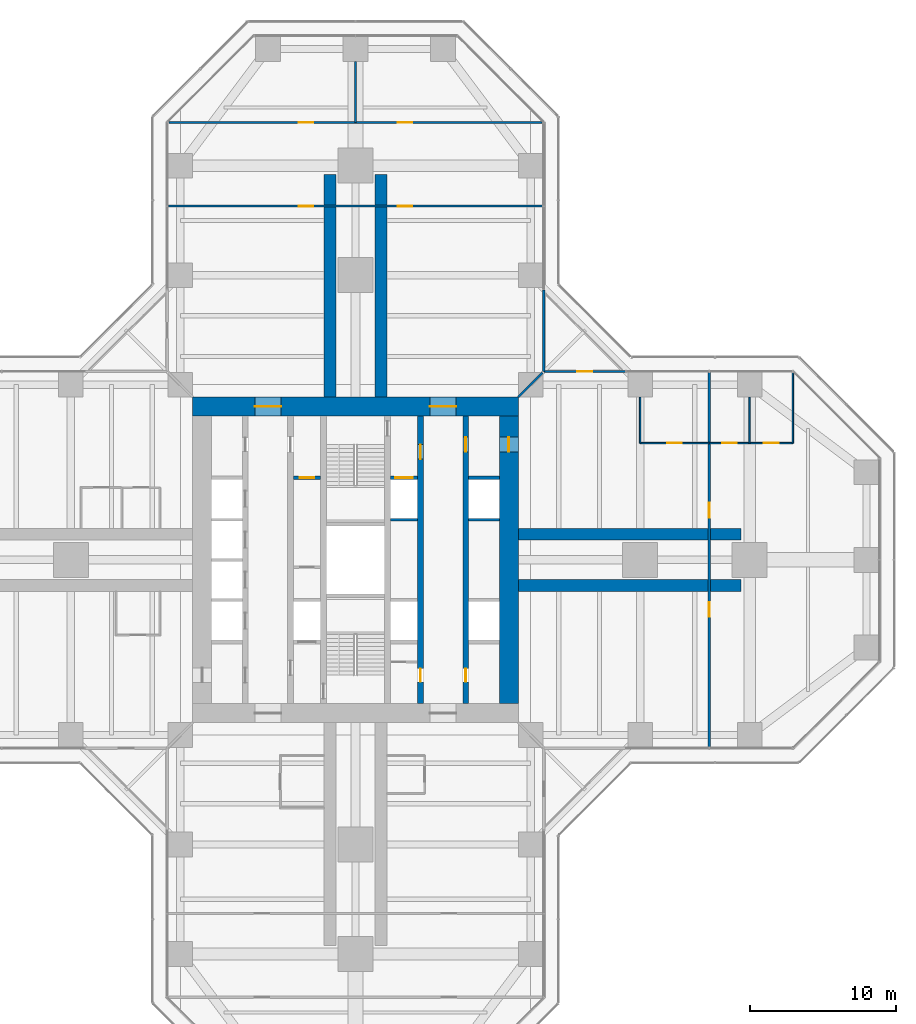
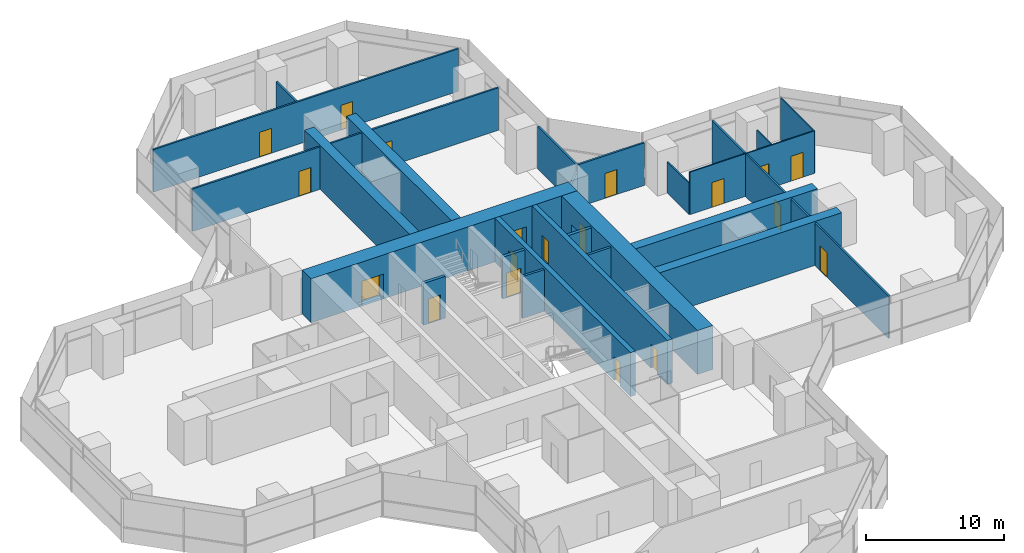
# One storey, part 19 of 22: 25 walls, 19 doors, 19 openings.
"""IFC4 building model written with IfcOpenShell, lengths in metres."""

from ifc_helpers import new_model, si_unit, direction, frame, frame_2d, origin, place, context, subcontext, project, spatial, rectangle, extrude, material, layer, layer_set, type_object, element, fill, save


model = new_model("IFC4")

# Units and contexts
model_context = context("Model", 3, precision=1e-05, world=origin(), true_north=direction((0.0, 1.0)))
body_context = subcontext(model_context, "Body", "Model", "MODEL_VIEW")
ifc_project = project(units=[si_unit("LENGTHUNIT", "METRE"), si_unit("AREAUNIT", "SQUARE_METRE"), si_unit("VOLUMEUNIT", "CUBIC_METRE"), si_unit("PLANEANGLEUNIT", "RADIAN"), si_unit("MASSUNIT", "GRAM", prefix="KILO")], contexts=[model_context])

# Site, building, storey
site_placement = place(None, origin())
site = spatial("IfcSite", under=ifc_project, at=site_placement, CompositionType="ELEMENT")
building_placement = place(site_placement, origin())
building = spatial("IfcBuilding", under=site, at=building_placement, Name="Mizan Broadcast Tower", CompositionType="ELEMENT")
storey_placement = place(building_placement, frame((0.0, 0.0, 98.10009765625)))
storey = spatial("IfcBuildingStorey", under=building, at=storey_placement, Name="L21", CompositionType="ELEMENT", Elevation=98.10009765625)

# Wall, openings, doors
ifc_material_1 = material(Name="Concrete C70/85", Category="concrete")
ifc_layer_1 = layer(ifc_material_1, 0.39990234375)
ifc_layer_set_1 = layer_set([ifc_layer_1], Name="Concrete C70/85")
wall_type_1 = type_object("IfcWallType", Name="CORE INTERNAL WALL 400", PredefinedType="SHEAR", material=ifc_layer_set_1)
wall_1_placement = place(storey_placement, frame((7.550048828125, 9.85009765625, 0.0), z_axis=(0.0, 0.0, 1.0), x_axis=(0.0, -1.0, 0.0)))
wall_1 = element("IfcWall", 1, at=wall_1_placement, inside=storey, type_object=wall_type_1, Name="Core wall CORE/XW1E", PredefinedType="SHEAR", context=body_context, shape_type="SweptSolid", body=[
    extrude(rectangle(XDim=19.7001953125, YDim=0.39990234375, at=frame_2d((9.85009765625, 0.0))), origin(), (0.0, 0.0, 1.0), 3.89990234375),
])
opening_1_placement = place(wall_1_placement, frame((1.449951171875, 0.0, 0.0)))
opening_1 = element("IfcOpeningElement", 2, at=opening_1_placement, cuts=wall_1, Name="Opening D10F", PredefinedType="OPENING", context=body_context, shape_type="SweptSolid", body=[
    extrude(rectangle(XDim=1.0, YDim=2.199951171875, at=frame_2d((0.5, 1.10009765625))), frame((0.0, 0.2099609375, 0.0), z_axis=(0.0, -1.0, 0.0), x_axis=(1.0, 0.0, 0.0)), (0.0, 0.0, 1.0), 0.419921875),
])
opening_2_placement = place(wall_1_placement, frame((17.300048828125, 0.0, 0.0)))
opening_2 = element("IfcOpeningElement", 3, at=opening_2_placement, cuts=wall_1, Name="Opening D09", PredefinedType="OPENING", context=body_context, shape_type="SweptSolid", body=[
    extrude(rectangle(XDim=0.89990234375, YDim=2.10009765625, at=frame_2d((0.449951171875, 1.050048828125))), frame((0.0, 0.2099609375, 0.0), z_axis=(0.0, -1.0, 0.0), x_axis=(1.0, 0.0, 0.0)), (0.0, 0.0, 1.0), 0.419921875),
])
ifc_material_2 = material(Name="Steel door leaf in steel frame", Category="steel")
door_type_1 = type_object("IfcDoorType", Name="FIRE DOOR 1000 FD90", OperationType="SINGLE_SWING_LEFT", PredefinedType="DOOR", material=ifc_material_2)
door_1_placement = place(opening_1_placement, origin())
door_1 = element("IfcDoor", 4, at=door_1_placement, inside=storey, type_object=door_type_1, Name="East core passage door", OperationType="SINGLE_SWING_LEFT", OverallHeight=2.199951171875, OverallWidth=1.0, PredefinedType="DOOR", context=body_context, shape_type="SweptSolid", body=[
    extrude(rectangle(XDim=1.0, YDim=2.199951171875, at=frame_2d((0.5, 1.10009765625))), frame((0.0, 0.02490234375, 0.0), z_axis=(0.0, -1.0, 0.0), x_axis=(1.0, 0.0, 0.0)), (0.0, 0.0, 1.0), 0.050048828125),
])
fill(opening_1, door_1)
ifc_material_3 = material(Name="Timber door leaf in aluminium frame", Category="wood")
door_type_2 = type_object("IfcDoorType", Name="TOILET DOOR 900", OperationType="SINGLE_SWING_LEFT", PredefinedType="DOOR", material=ifc_material_3)
door_2_placement = place(opening_2_placement, origin())
door_2 = element("IfcDoor", 5, at=door_2_placement, inside=storey, type_object=door_type_2, Name="Female WC door", OperationType="SINGLE_SWING_RIGHT", OverallHeight=2.10009765625, OverallWidth=0.89990234375, PredefinedType="DOOR", context=body_context, shape_type="SweptSolid", body=[
    extrude(rectangle(XDim=0.89990234375, YDim=2.10009765625, at=frame_2d((0.449951171875, 1.050048828125))), frame((0.0, 0.02490234375, 0.0), z_axis=(0.0, -1.0, 0.0), x_axis=(1.0, 0.0, 0.0)), (0.0, 0.0, 1.0), 0.050048828125),
])
fill(opening_2, door_2)

wall_2_placement = place(storey_placement, frame((4.449951171875, 9.85009765625, 0.0), z_axis=(0.0, 0.0, 1.0), x_axis=(0.0, -1.0, 0.0)))
wall_2 = element("IfcWall", 6, at=wall_2_placement, inside=storey, type_object=wall_type_1, Name="Core wall CORE/XWHE", PredefinedType="SHEAR", context=body_context, shape_type="SweptSolid", body=[
    extrude(rectangle(XDim=19.7001953125, YDim=0.39990234375, at=frame_2d((9.85009765625, 0.0))), origin(), (0.0, 0.0, 1.0), 3.89990234375),
])
opening_3_placement = place(wall_2_placement, frame((1.949951171875, 0.0, 0.0)))
opening_3 = element("IfcOpeningElement", 7, at=opening_3_placement, cuts=wall_2, Name="Opening D10F", PredefinedType="OPENING", context=body_context, shape_type="SweptSolid", body=[
    extrude(rectangle(XDim=1.0, YDim=2.199951171875, at=frame_2d((0.5, 1.10009765625))), frame((0.0, 0.2099609375, 0.0), z_axis=(0.0, -1.0, 0.0), x_axis=(1.0, 0.0, 0.0)), (0.0, 0.0, 1.0), 0.419921875),
])
opening_4_placement = place(wall_2_placement, frame((17.300048828125, 0.0, 0.0)))
opening_4 = element("IfcOpeningElement", 8, at=opening_4_placement, cuts=wall_2, Name="Opening D09", PredefinedType="OPENING", context=body_context, shape_type="SweptSolid", body=[
    extrude(rectangle(XDim=0.89990234375, YDim=2.10009765625, at=frame_2d((0.449951171875, 1.050048828125))), frame((0.0, 0.2099609375, 0.0), z_axis=(0.0, -1.0, 0.0), x_axis=(1.0, 0.0, 0.0)), (0.0, 0.0, 1.0), 0.419921875),
])
door_3_placement = place(opening_3_placement, origin())
door_3 = element("IfcDoor", 9, at=door_3_placement, inside=storey, type_object=door_type_1, Name="Firefighting lobby B door", OperationType="SINGLE_SWING_LEFT", OverallHeight=2.199951171875, OverallWidth=1.0, PredefinedType="DOOR", context=body_context, shape_type="SweptSolid", body=[
    extrude(rectangle(XDim=1.0, YDim=2.199951171875, at=frame_2d((0.5, 1.10009765625))), frame((0.0, 0.02490234375, 0.0), z_axis=(0.0, -1.0, 0.0), x_axis=(1.0, 0.0, 0.0)), (0.0, 0.0, 1.0), 0.050048828125),
])
fill(opening_3, door_3)
door_4_placement = place(opening_4_placement, origin())
door_4 = element("IfcDoor", 10, at=door_4_placement, inside=storey, type_object=door_type_2, Name="Cleaner's store door", OperationType="SINGLE_SWING_RIGHT", OverallHeight=2.10009765625, OverallWidth=0.89990234375, PredefinedType="DOOR", context=body_context, shape_type="SweptSolid", body=[
    extrude(rectangle(XDim=0.89990234375, YDim=2.10009765625, at=frame_2d((0.449951171875, 1.050048828125))), frame((0.0, 0.02490234375, 0.0), z_axis=(0.0, -1.0, 0.0), x_axis=(1.0, 0.0, 0.0)), (0.0, 0.0, 1.0), 0.050048828125),
])
fill(opening_4, door_4)

ifc_material_4 = material(Name="Concrete C70/85", Category="concrete")
ifc_layer_2 = layer(ifc_material_4, 1.300048828125)
ifc_layer_set_2 = layer_set([ifc_layer_2], Name="Concrete C70/85")
wall_type_2 = type_object("IfcWallType", Name="CORE WALL 1300", PredefinedType="SHEAR", material=ifc_layer_set_2)
wall_3_placement = place(storey_placement, frame((-11.14990234375, 10.5, 0.0), z_axis=(0.0, 0.0, 1.0), x_axis=(1.0, 0.0, 0.0)))
wall_3 = element("IfcWall", 11, at=wall_3_placement, inside=storey, type_object=wall_type_2, Name="Core wall N L21", PredefinedType="SHEAR", context=body_context, shape_type="SweptSolid", body=[
    extrude(rectangle(XDim=22.2998046875, YDim=1.300048828125, at=frame_2d((11.14990234375, 0.0))), origin(), (0.0, 0.0, 1.0), 3.89990234375),
])
opening_5_placement = place(wall_3_placement, frame((4.25, 0.0, 0.0)))
opening_5 = element("IfcOpeningElement", 12, at=opening_5_placement, cuts=wall_3, Name="Opening D18F", PredefinedType="OPENING", context=body_context, shape_type="SweptSolid", body=[
    extrude(rectangle(XDim=1.800048828125, YDim=2.199951171875, at=frame_2d((0.89990234375, 1.10009765625))), frame((0.0, 0.659912109375, 0.0), z_axis=(0.0, -1.0, 0.0), x_axis=(1.0, 0.0, 0.0)), (0.0, 0.0, 1.0), 1.320068359375),
])
opening_6_placement = place(wall_3_placement, frame((16.25, 0.0, 0.0)))
opening_6 = element("IfcOpeningElement", 13, at=opening_6_placement, cuts=wall_3, Name="Opening D18F", PredefinedType="OPENING", context=body_context, shape_type="SweptSolid", body=[
    extrude(rectangle(XDim=1.800048828125, YDim=2.199951171875, at=frame_2d((0.89990234375, 1.10009765625))), frame((0.0, 0.659912109375, 0.0), z_axis=(0.0, -1.0, 0.0), x_axis=(1.0, 0.0, 0.0)), (0.0, 0.0, 1.0), 1.320068359375),
])
ifc_material_5 = material(Name="Steel door leaf in steel frame", Category="steel")
door_type_3 = type_object("IfcDoorType", Name="LOBBY DOUBLE DOOR 1800 FD90", OperationType="DOUBLE_DOOR_DOUBLE_SWING", PredefinedType="DOOR", material=ifc_material_5)
door_5_placement = place(opening_5_placement, origin())
door_5 = element("IfcDoor", 14, at=door_5_placement, inside=storey, type_object=door_type_3, Name="West lift lobby north door", OperationType="DOUBLE_DOOR_DOUBLE_SWING", OverallHeight=2.199951171875, OverallWidth=1.800048828125, PredefinedType="DOOR", context=body_context, shape_type="SweptSolid", body=[
    extrude(rectangle(XDim=1.800048828125, YDim=2.199951171875, at=frame_2d((0.89990234375, 1.10009765625))), frame((0.0, 0.02490234375, 0.0), z_axis=(0.0, -1.0, 0.0), x_axis=(1.0, 0.0, 0.0)), (0.0, 0.0, 1.0), 0.050048828125),
])
fill(opening_5, door_5)
door_6_placement = place(opening_6_placement, origin())
door_6 = element("IfcDoor", 15, at=door_6_placement, inside=storey, type_object=door_type_3, Name="East lift lobby north door", OperationType="DOUBLE_DOOR_DOUBLE_SWING", OverallHeight=2.199951171875, OverallWidth=1.800048828125, PredefinedType="DOOR", context=body_context, shape_type="SweptSolid", body=[
    extrude(rectangle(XDim=1.800048828125, YDim=2.199951171875, at=frame_2d((0.89990234375, 1.10009765625))), frame((0.0, 0.02490234375, 0.0), z_axis=(0.0, -1.0, 0.0), x_axis=(1.0, 0.0, 0.0)), (0.0, 0.0, 1.0), 0.050048828125),
])
fill(opening_6, door_6)

# Wall, opening, door
wall_4_placement = place(storey_placement, frame((10.5, -9.85009765625, 0.0), z_axis=(0.0, 0.0, 1.0), x_axis=(0.0, 1.0, 0.0)))
wall_4 = element("IfcWall", 16, at=wall_4_placement, inside=storey, type_object=wall_type_2, Name="Core wall E L21", PredefinedType="SHEAR", context=body_context, shape_type="SweptSolid", body=[
    extrude(rectangle(XDim=19.7001953125, YDim=1.300048828125, at=frame_2d((9.85009765625, 0.0))), origin(), (0.0, 0.0, 1.0), 3.89990234375),
])
opening_7_placement = place(wall_4_placement, frame((17.25, 0.0, 0.0)))
opening_7 = element("IfcOpeningElement", 17, at=opening_7_placement, cuts=wall_4, Name="Opening D10F", PredefinedType="OPENING", context=body_context, shape_type="SweptSolid", body=[
    extrude(rectangle(XDim=1.0, YDim=2.199951171875, at=frame_2d((0.5, 1.10009765625))), frame((0.0, 0.659912109375, 0.0), z_axis=(0.0, -1.0, 0.0), x_axis=(1.0, 0.0, 0.0)), (0.0, 0.0, 1.0), 1.320068359375),
])
door_7_placement = place(opening_7_placement, origin())
door_7 = element("IfcDoor", 18, at=door_7_placement, inside=storey, type_object=door_type_1, Name="East core passage arm door", OperationType="SINGLE_SWING_RIGHT", OverallHeight=2.199951171875, OverallWidth=1.0, PredefinedType="DOOR", context=body_context, shape_type="SweptSolid", body=[
    extrude(rectangle(XDim=1.0, YDim=2.199951171875, at=frame_2d((0.5, 1.10009765625))), frame((0.0, 0.02490234375, 0.0), z_axis=(0.0, -1.0, 0.0), x_axis=(1.0, 0.0, 0.0)), (0.0, 0.0, 1.0), 0.050048828125),
])
fill(opening_7, door_7)

ifc_material_6 = material(Name="Aluminium framed glazed screen", Category="aluminium")
ifc_layer_3 = layer(ifc_material_6, 0.159912109375)
ifc_layer_set_3 = layer_set([ifc_layer_3], Name="Aluminium framed glazed screen")
wall_type_3 = type_object("IfcWallType", Name="GLAZED SCREEN WALL 160", PredefinedType="SOLIDWALL", material=ifc_layer_set_3)
wall_5_placement = place(storey_placement, frame((18.5, 12.89990234375, 0.0), z_axis=(0.0, 0.0, 1.0), x_axis=(-1.0, 0.0, 0.0)))
wall_5 = element("IfcWall", 19, at=wall_5_placement, inside=storey, type_object=wall_type_3, Name="Winter garden screen L21 E", PredefinedType="SOLIDWALL", context=body_context, shape_type="SweptSolid", body=[
    extrude(rectangle(XDim=5.60009765625, YDim=0.159912109375, at=frame_2d((2.800048828125, 0.0))), origin(), (0.0, 0.0, 1.0), 3.77001953125),
])
opening_8_placement = place(wall_5_placement, frame((2.300048828125, 0.0, 0.0)))
opening_8 = element("IfcOpeningElement", 20, at=opening_8_placement, cuts=wall_5, Name="Opening WGD", PredefinedType="OPENING", context=body_context, shape_type="SweptSolid", body=[
    extrude(rectangle(XDim=1.0, YDim=2.199951171875, at=frame_2d((0.5, 1.10009765625))), frame((0.0, 0.08984375, 0.0), z_axis=(0.0, -1.0, 0.0), x_axis=(1.0, 0.0, 0.0)), (0.0, 0.0, 1.0), 0.179931640625),
])
ifc_material_7 = material(Name="Aluminium framed glazed door", Category="aluminium")
door_type_4 = type_object("IfcDoorType", Name="WINTER GARDEN DOOR 1000 GLAZED", OperationType="SINGLE_SWING_LEFT", PredefinedType="DOOR", material=ifc_material_7)
door_8_placement = place(opening_8_placement, origin())
door_8 = element("IfcDoor", 21, at=door_8_placement, inside=storey, type_object=door_type_4, Name="Winter garden door L21 E", OperationType="SINGLE_SWING_RIGHT", OverallHeight=2.199951171875, OverallWidth=1.0, PredefinedType="DOOR", context=body_context, shape_type="SweptSolid", body=[
    extrude(rectangle(XDim=1.0, YDim=2.199951171875, at=frame_2d((0.5, 1.10009765625))), frame((0.0, 0.02490234375, 0.0), z_axis=(0.0, -1.0, 0.0), x_axis=(1.0, 0.0, 0.0)), (0.0, 0.0, 1.0), 0.050048828125),
])
fill(opening_8, door_8)

# Walls
wall_6_placement = place(storey_placement, frame((12.89990234375, 12.89990234375, 0.0), z_axis=(0.0, 0.0, 1.0), x_axis=(0.0, 1.0, 0.0)))
element("IfcWall", 22, at=wall_6_placement, inside=storey, type_object=wall_type_3, Name="Winter garden screen L21 N", PredefinedType="SOLIDWALL", context=body_context, shape_type="SweptSolid", body=[
    extrude(rectangle(XDim=5.60009765625, YDim=0.159912109375, at=frame_2d((2.800048828125, 0.0))), origin(), (0.0, 0.0, 1.0), 3.77001953125),
])
ifc_material_8 = material(Name="Concrete blockwork", Category="masonry")
ifc_layer_4 = layer(ifc_material_8, 0.199951171875)
ifc_layer_set_4 = layer_set([ifc_layer_4], Name="Concrete blockwork")
wall_type_4 = type_object("IfcWallType", Name="LIFT SHAFT WALL 200", PredefinedType="SOLIDWALL", material=ifc_layer_set_4)
wall_7_placement = place(storey_placement, frame((2.39990234375, 2.75, 0.0), z_axis=(0.0, 0.0, 1.0), x_axis=(1.0, 0.0, 0.0)))
element("IfcWall", 23, at=wall_7_placement, inside=storey, type_object=wall_type_4, Name="Lift shaft wall CORE/SE2-3", PredefinedType="SOLIDWALL", context=body_context, shape_type="SweptSolid", body=[
    extrude(rectangle(XDim=1.85009765625, YDim=0.199951171875, at=frame_2d((0.925048828125, 0.0))), origin(), (0.0, 0.0, 1.0), 3.699951171875),
])
wall_8_placement = place(storey_placement, frame((7.75, 2.75, 0.0), z_axis=(0.0, 0.0, 1.0), x_axis=(1.0, 0.0, 0.0)))
element("IfcWall", 24, at=wall_8_placement, inside=storey, type_object=wall_type_4, Name="Lift shaft wall CORE/SE1-3", PredefinedType="SOLIDWALL", context=body_context, shape_type="SweptSolid", body=[
    extrude(rectangle(XDim=2.10009765625, YDim=0.199951171875, at=frame_2d((1.050048828125, 0.0))), origin(), (0.0, 0.0, 1.0), 3.699951171875),
])

# Wall, opening, door
ifc_material_9 = material(Name="Concrete blockwork", Category="masonry")
ifc_layer_5 = layer(ifc_material_9, 0.25)
ifc_layer_set_5 = layer_set([ifc_layer_5], Name="Concrete blockwork")
wall_type_5 = type_object("IfcWallType", Name="LOBBY ENCLOSURE WALL 250", PredefinedType="SOLIDWALL", material=ifc_layer_set_5)
wall_9_placement = place(storey_placement, frame((-4.25, 5.625, 0.0), z_axis=(0.0, 0.0, 1.0), x_axis=(1.0, 0.0, 0.0)))
wall_9 = element("IfcWall", 25, at=wall_9_placement, inside=storey, type_object=wall_type_5, Name="Lobby enclosure wall CORE/BW2N", PredefinedType="SOLIDWALL", context=body_context, shape_type="SweptSolid", body=[
    extrude(rectangle(XDim=1.85009765625, YDim=0.25, at=frame_2d((0.925048828125, 0.0))), origin(), (0.0, 0.0, 1.0), 3.699951171875),
])
opening_9_placement = place(wall_9_placement, frame((0.425048828125, 0.0, 0.0)))
opening_9 = element("IfcOpeningElement", 26, at=opening_9_placement, cuts=wall_9, Name="Opening D10F", PredefinedType="OPENING", context=body_context, shape_type="SweptSolid", body=[
    extrude(rectangle(XDim=1.0, YDim=2.199951171875, at=frame_2d((0.5, 1.10009765625))), frame((0.0, 0.135009765625, 0.0), z_axis=(0.0, -1.0, 0.0), x_axis=(1.0, 0.0, 0.0)), (0.0, 0.0, 1.0), 0.27001953125),
])
door_9_placement = place(opening_9_placement, origin())
door_9 = element("IfcDoor", 27, at=door_9_placement, inside=storey, type_object=door_type_1, Name="Accessible shower room door", OperationType="SINGLE_SWING_RIGHT", OverallHeight=2.199951171875, OverallWidth=1.0, PredefinedType="DOOR", context=body_context, shape_type="SweptSolid", body=[
    extrude(rectangle(XDim=1.0, YDim=2.199951171875, at=frame_2d((0.5, 1.10009765625))), frame((0.0, 0.02490234375, 0.0), z_axis=(0.0, -1.0, 0.0), x_axis=(1.0, 0.0, 0.0)), (0.0, 0.0, 1.0), 0.050048828125),
])
fill(opening_9, door_9)

wall_10_placement = place(storey_placement, frame((2.39990234375, 5.625, 0.0), z_axis=(0.0, 0.0, 1.0), x_axis=(1.0, 0.0, 0.0)))
wall_10 = element("IfcWall", 28, at=wall_10_placement, inside=storey, type_object=wall_type_5, Name="Lobby enclosure wall CORE/BE2N", PredefinedType="SOLIDWALL", context=body_context, shape_type="SweptSolid", body=[
    extrude(rectangle(XDim=1.85009765625, YDim=0.25, at=frame_2d((0.925048828125, 0.0))), origin(), (0.0, 0.0, 1.0), 3.699951171875),
])
opening_10_placement = place(wall_10_placement, frame((0.324951171875, 0.0, 0.0)))
opening_10 = element("IfcOpeningElement", 29, at=opening_10_placement, cuts=wall_10, Name="Opening LDF", PredefinedType="OPENING", context=body_context, shape_type="SweptSolid", body=[
    extrude(rectangle(XDim=1.199951171875, YDim=2.199951171875, at=frame_2d((0.60009765625, 1.10009765625))), frame((0.0, 0.135009765625, 0.0), z_axis=(0.0, -1.0, 0.0), x_axis=(1.0, 0.0, 0.0)), (0.0, 0.0, 1.0), 0.27001953125),
])
ifc_material_10 = material(Name="Steel door leaf in steel frame", Category="steel")
door_type_5 = type_object("IfcDoorType", Name="FIREFIGHTING LIFT LANDING DOOR 1200", OperationType="SLIDING_TO_LEFT", PredefinedType="DOOR", material=ifc_material_10)
door_10_placement = place(opening_10_placement, origin())
door_10 = element("IfcDoor", 30, at=door_10_placement, inside=storey, type_object=door_type_5, Name="Landing door FF2", OperationType="SLIDING_TO_LEFT", OverallHeight=2.199951171875, OverallWidth=1.199951171875, PredefinedType="DOOR", context=body_context, shape_type="SweptSolid", body=[
    extrude(rectangle(XDim=1.199951171875, YDim=2.199951171875, at=frame_2d((0.60009765625, 1.10009765625))), frame((0.0, 0.02490234375, 0.0), z_axis=(0.0, -1.0, 0.0), x_axis=(1.0, 0.0, 0.0)), (0.0, 0.0, 1.0), 0.050048828125),
])
fill(opening_10, door_10)

# Wall
wall_11_placement = place(storey_placement, frame((7.75, 5.625, 0.0), z_axis=(0.0, 0.0, 1.0), x_axis=(1.0, 0.0, 0.0)))
element("IfcWall", 31, at=wall_11_placement, inside=storey, type_object=wall_type_5, Name="Lobby enclosure wall CORE/BE1N", PredefinedType="SOLIDWALL", context=body_context, shape_type="SweptSolid", body=[
    extrude(rectangle(XDim=2.10009765625, YDim=0.25, at=frame_2d((1.050048828125, 0.0))), origin(), (0.0, 0.0, 1.0), 3.699951171875),
])

# Wall, openings, doors
ifc_material_11 = material(Name="Gypsum board on steel studs", Category="steel")
ifc_layer_6 = layer(ifc_material_11, 0.14990234375)
ifc_layer_set_6 = layer_set([ifc_layer_6], Name="Gypsum board on steel studs")
wall_type_6 = type_object("IfcWallType", Name="PARTITION 150", PredefinedType="PARTITIONING", material=ifc_layer_set_6)
wall_12_placement = place(storey_placement, frame((24.22900390625, -12.820068359375, 0.0), z_axis=(0.0, 0.0, 1.0), x_axis=(0.0, 1.0, 0.0)))
wall_12 = element("IfcWall", 32, at=wall_12_placement, inside=storey, type_object=wall_type_6, Name="Partition PT/EX1", PredefinedType="PARTITIONING", context=body_context, shape_type="SweptSolid", body=[
    extrude(rectangle(XDim=25.64013671875, YDim=0.14990234375, at=frame_2d((12.820068359375, 0.0))), origin(), (0.0, 0.0, 1.0), 3.77001953125),
])
opening_11_placement = place(wall_12_placement, frame((15.719970703125, 0.0, 0.0)))
opening_11 = element("IfcOpeningElement", 33, at=opening_11_placement, cuts=wall_12, Name="Opening D10", PredefinedType="OPENING", context=body_context, shape_type="SweptSolid", body=[
    extrude(rectangle(XDim=1.0, YDim=2.199951171875, at=frame_2d((0.5, 1.10009765625))), frame((0.0, 0.0849609375, 0.0), z_axis=(0.0, -1.0, 0.0), x_axis=(1.0, 0.0, 0.0)), (0.0, 0.0, 1.0), 0.169921875),
])
opening_12_placement = place(wall_12_placement, frame((8.919921875, 0.0, 0.0)))
opening_12 = element("IfcOpeningElement", 34, at=opening_12_placement, cuts=wall_12, Name="Opening D10", PredefinedType="OPENING", context=body_context, shape_type="SweptSolid", body=[
    extrude(rectangle(XDim=1.0, YDim=2.199951171875, at=frame_2d((0.5, 1.10009765625))), frame((0.0, 0.0849609375, 0.0), z_axis=(0.0, -1.0, 0.0), x_axis=(1.0, 0.0, 0.0)), (0.0, 0.0, 1.0), 0.169921875),
])
ifc_material_12 = material(Name="Timber door leaf in aluminium frame", Category="wood")
door_type_6 = type_object("IfcDoorType", Name="ROOM DOOR 1000", OperationType="SINGLE_SWING_LEFT", PredefinedType="DOOR", material=ifc_material_12)
door_11_placement = place(opening_11_placement, origin())
door_11 = element("IfcDoor", 35, at=door_11_placement, inside=storey, type_object=door_type_6, Name="Open office door", OperationType="SINGLE_SWING_RIGHT", OverallHeight=2.199951171875, OverallWidth=1.0, PredefinedType="DOOR", context=body_context, shape_type="SweptSolid", body=[
    extrude(rectangle(XDim=1.0, YDim=2.199951171875, at=frame_2d((0.5, 1.10009765625))), frame((0.0, 0.02490234375, 0.0), z_axis=(0.0, -1.0, 0.0), x_axis=(1.0, 0.0, 0.0)), (0.0, 0.0, 1.0), 0.050048828125),
])
fill(opening_11, door_11)
door_12_placement = place(opening_12_placement, origin())
door_12 = element("IfcDoor", 36, at=door_12_placement, inside=storey, type_object=door_type_6, Name="Open office door", OperationType="SINGLE_SWING_LEFT", OverallHeight=2.199951171875, OverallWidth=1.0, PredefinedType="DOOR", context=body_context, shape_type="SweptSolid", body=[
    extrude(rectangle(XDim=1.0, YDim=2.199951171875, at=frame_2d((0.5, 1.10009765625))), frame((0.0, 0.02490234375, 0.0), z_axis=(0.0, -1.0, 0.0), x_axis=(1.0, 0.0, 0.0)), (0.0, 0.0, 1.0), 0.050048828125),
])
fill(opening_12, door_12)

wall_13_placement = place(storey_placement, frame((12.820068359375, 24.22900390625, 0.0), z_axis=(0.0, 0.0, 1.0), x_axis=(-1.0, 0.0, 0.0)))
wall_13 = element("IfcWall", 37, at=wall_13_placement, inside=storey, type_object=wall_type_6, Name="Partition PT/NX1", PredefinedType="PARTITIONING", context=body_context, shape_type="SweptSolid", body=[
    extrude(rectangle(XDim=25.64013671875, YDim=0.14990234375, at=frame_2d((12.820068359375, 0.0))), origin(), (0.0, 0.0, 1.0), 3.77001953125),
])
opening_13_placement = place(wall_13_placement, frame((15.719970703125, 0.0, 0.0)))
opening_13 = element("IfcOpeningElement", 38, at=opening_13_placement, cuts=wall_13, Name="Opening D10", PredefinedType="OPENING", context=body_context, shape_type="SweptSolid", body=[
    extrude(rectangle(XDim=1.0, YDim=2.199951171875, at=frame_2d((0.5, 1.10009765625))), frame((0.0, 0.0849609375, 0.0), z_axis=(0.0, -1.0, 0.0), x_axis=(1.0, 0.0, 0.0)), (0.0, 0.0, 1.0), 0.169921875),
])
opening_14_placement = place(wall_13_placement, frame((8.919921875, 0.0, 0.0)))
opening_14 = element("IfcOpeningElement", 39, at=opening_14_placement, cuts=wall_13, Name="Opening D10", PredefinedType="OPENING", context=body_context, shape_type="SweptSolid", body=[
    extrude(rectangle(XDim=1.0, YDim=2.199951171875, at=frame_2d((0.5, 1.10009765625))), frame((0.0, 0.0849609375, 0.0), z_axis=(0.0, -1.0, 0.0), x_axis=(1.0, 0.0, 0.0)), (0.0, 0.0, 1.0), 0.169921875),
])
door_13_placement = place(opening_13_placement, origin())
door_13 = element("IfcDoor", 40, at=door_13_placement, inside=storey, type_object=door_type_6, Name="Open office door", OperationType="SINGLE_SWING_RIGHT", OverallHeight=2.199951171875, OverallWidth=1.0, PredefinedType="DOOR", context=body_context, shape_type="SweptSolid", body=[
    extrude(rectangle(XDim=1.0, YDim=2.199951171875, at=frame_2d((0.5, 1.10009765625))), frame((0.0, 0.02490234375, 0.0), z_axis=(0.0, -1.0, 0.0), x_axis=(1.0, 0.0, 0.0)), (0.0, 0.0, 1.0), 0.050048828125),
])
fill(opening_13, door_13)
door_14_placement = place(opening_14_placement, origin())
door_14 = element("IfcDoor", 41, at=door_14_placement, inside=storey, type_object=door_type_6, Name="Open office door", OperationType="SINGLE_SWING_LEFT", OverallHeight=2.199951171875, OverallWidth=1.0, PredefinedType="DOOR", context=body_context, shape_type="SweptSolid", body=[
    extrude(rectangle(XDim=1.0, YDim=2.199951171875, at=frame_2d((0.5, 1.10009765625))), frame((0.0, 0.02490234375, 0.0), z_axis=(0.0, -1.0, 0.0), x_axis=(1.0, 0.0, 0.0)), (0.0, 0.0, 1.0), 0.050048828125),
])
fill(opening_14, door_14)

wall_14_placement = place(storey_placement, frame((12.786376953125, 29.958984375, 0.0), z_axis=(0.0, 0.0, 1.0), x_axis=(-1.0, 0.0, 0.0)))
wall_14 = element("IfcWall", 42, at=wall_14_placement, inside=storey, type_object=wall_type_6, Name="Partition PT/NX2", PredefinedType="PARTITIONING", context=body_context, shape_type="SweptSolid", body=[
    extrude(rectangle(XDim=25.57275390625, YDim=0.14990234375, at=frame_2d((12.786376953125, 0.0))), origin(), (0.0, 0.0, 1.0), 3.77001953125),
])
opening_15_placement = place(wall_14_placement, frame((15.6865234375, 0.0, 0.0)))
opening_15 = element("IfcOpeningElement", 43, at=opening_15_placement, cuts=wall_14, Name="Opening D10", PredefinedType="OPENING", context=body_context, shape_type="SweptSolid", body=[
    extrude(rectangle(XDim=1.0, YDim=2.199951171875, at=frame_2d((0.5, 1.10009765625))), frame((0.0, 0.0849609375, 0.0), z_axis=(0.0, -1.0, 0.0), x_axis=(1.0, 0.0, 0.0)), (0.0, 0.0, 1.0), 0.169921875),
])
opening_16_placement = place(wall_14_placement, frame((8.886474609375, 0.0, 0.0)))
opening_16 = element("IfcOpeningElement", 44, at=opening_16_placement, cuts=wall_14, Name="Opening D10", PredefinedType="OPENING", context=body_context, shape_type="SweptSolid", body=[
    extrude(rectangle(XDim=1.0, YDim=2.199951171875, at=frame_2d((0.5, 1.10009765625))), frame((0.0, 0.0849609375, 0.0), z_axis=(0.0, -1.0, 0.0), x_axis=(1.0, 0.0, 0.0)), (0.0, 0.0, 1.0), 0.169921875),
])
door_15_placement = place(opening_15_placement, origin())
door_15 = element("IfcDoor", 45, at=door_15_placement, inside=storey, type_object=door_type_6, Name="Open office door", OperationType="SINGLE_SWING_RIGHT", OverallHeight=2.199951171875, OverallWidth=1.0, PredefinedType="DOOR", context=body_context, shape_type="SweptSolid", body=[
    extrude(rectangle(XDim=1.0, YDim=2.199951171875, at=frame_2d((0.5, 1.10009765625))), frame((0.0, 0.02490234375, 0.0), z_axis=(0.0, -1.0, 0.0), x_axis=(1.0, 0.0, 0.0)), (0.0, 0.0, 1.0), 0.050048828125),
])
fill(opening_15, door_15)
door_16_placement = place(opening_16_placement, origin())
door_16 = element("IfcDoor", 46, at=door_16_placement, inside=storey, type_object=door_type_6, Name="Open office door", OperationType="SINGLE_SWING_LEFT", OverallHeight=2.199951171875, OverallWidth=1.0, PredefinedType="DOOR", context=body_context, shape_type="SweptSolid", body=[
    extrude(rectangle(XDim=1.0, YDim=2.199951171875, at=frame_2d((0.5, 1.10009765625))), frame((0.0, 0.02490234375, 0.0), z_axis=(0.0, -1.0, 0.0), x_axis=(1.0, 0.0, 0.0)), (0.0, 0.0, 1.0), 0.050048828125),
])
fill(opening_16, door_16)

# Walls
wall_15_placement = place(storey_placement, frame((0.0, 29.958984375, 0.0), z_axis=(0.0, 0.0, 1.0), x_axis=(0.0, 1.0, 0.0)))
element("IfcWall", 47, at=wall_15_placement, inside=storey, type_object=wall_type_6, Name="Partition PT/NES", PredefinedType="PARTITIONING", context=body_context, shape_type="SweptSolid", body=[
    extrude(rectangle(XDim=4.19091796875, YDim=0.14990234375, at=frame_2d((2.095458984375, 0.0))), origin(), (0.0, 0.0, 1.0), 2.77001953125),
])
wall_16_placement = place(storey_placement, frame((11.14990234375, 11.14990234375, 0.0), z_axis=(0.0, 0.0, 1.0), x_axis=(0.707106781187, 0.707106781187, 0.0)))
element("IfcWall", 48, at=wall_16_placement, inside=storey, type_object=wall_type_6, Name="Partition PT/DGEN", PredefinedType="PARTITIONING", context=body_context, shape_type="SweptSolid", body=[
    extrude(rectangle(XDim=2.362060546875, YDim=0.14990234375, at=frame_2d((1.18115234375, 0.0))), origin(), (0.0, 0.0, 1.0), 3.219970703125),
])

# Wall, opening, door
ifc_material_13 = material(Name="Glazed aluminium partition on aluminium track", Category="aluminium")
ifc_layer_7 = layer(ifc_material_13, 0.10009765625)
ifc_layer_set_7 = layer_set([ifc_layer_7], Name="Glazed aluminium partition on aluminium track")
wall_type_7 = type_object("IfcWallType", Name="PARTITION GLAZED OFFICE FRONT 100", PredefinedType="PARTITIONING", material=ifc_layer_set_7)
wall_17_placement = place(storey_placement, frame((19.5, 8.0, 0.0), z_axis=(0.0, 0.0, 1.0), x_axis=(1.0, 0.0, 0.0)))
wall_17 = element("IfcWall", 49, at=wall_17_placement, inside=storey, type_object=wall_type_7, Name="Glazed office front PT/ECP0", PredefinedType="PARTITIONING", context=body_context, shape_type="SweptSolid", body=[
    extrude(rectangle(XDim=4.72900390625, YDim=0.10009765625, at=frame_2d((2.364501953125, 0.0))), origin(), (0.0, 0.0, 1.0), 3.77001953125),
])
opening_17_placement = place(wall_17_placement, frame((1.864501953125, 0.0, 0.0)))
opening_17 = element("IfcOpeningElement", 50, at=opening_17_placement, cuts=wall_17, Name="Opening D10O", PredefinedType="OPENING", context=body_context, shape_type="SweptSolid", body=[
    extrude(rectangle(XDim=1.0, YDim=2.199951171875, at=frame_2d((0.5, 1.10009765625))), frame((0.0, 0.06005859375, 0.0), z_axis=(0.0, -1.0, 0.0), x_axis=(1.0, 0.0, 0.0)), (0.0, 0.0, 1.0), 0.1201171875),
])
ifc_material_14 = material(Name="Timber door leaf in aluminium frame", Category="wood")
door_type_7 = type_object("IfcDoorType", Name="OFFICE DOOR 1000 GLAZED", OperationType="SINGLE_SWING_LEFT", PredefinedType="DOOR", material=ifc_material_14)
door_17_placement = place(opening_17_placement, origin())
door_17 = element("IfcDoor", 51, at=door_17_placement, inside=storey, type_object=door_type_7, Name="Sales manager's office door", OperationType="SINGLE_SWING_LEFT", OverallHeight=2.199951171875, OverallWidth=1.0, PredefinedType="DOOR", context=body_context, shape_type="SweptSolid", body=[
    extrude(rectangle(XDim=1.0, YDim=2.199951171875, at=frame_2d((0.5, 1.10009765625))), frame((0.0, 0.02490234375, 0.0), z_axis=(0.0, -1.0, 0.0), x_axis=(1.0, 0.0, 0.0)), (0.0, 0.0, 1.0), 0.050048828125),
])
fill(opening_17, door_17)

# Wall, openings, doors
wall_18_placement = place(storey_placement, frame((24.22900390625, 8.0, 0.0), z_axis=(0.0, 0.0, 1.0), x_axis=(1.0, 0.0, 0.0)))
wall_18 = element("IfcWall", 52, at=wall_18_placement, inside=storey, type_object=wall_type_7, Name="Glazed office front PT/ECP1", PredefinedType="PARTITIONING", context=body_context, shape_type="SweptSolid", body=[
    extrude(rectangle(XDim=5.72998046875, YDim=0.10009765625, at=frame_2d((2.864990234375, 0.0))), origin(), (0.0, 0.0, 1.0), 3.77001953125),
])
opening_18_placement = place(wall_18_placement, frame((0.885498046875, 0.0, 0.0)))
opening_18 = element("IfcOpeningElement", 53, at=opening_18_placement, cuts=wall_18, Name="Opening D10O", PredefinedType="OPENING", context=body_context, shape_type="SweptSolid", body=[
    extrude(rectangle(XDim=1.0, YDim=2.199951171875, at=frame_2d((0.5, 1.10009765625))), frame((0.0, 0.06005859375, 0.0), z_axis=(0.0, -1.0, 0.0), x_axis=(1.0, 0.0, 0.0)), (0.0, 0.0, 1.0), 0.1201171875),
])
opening_19_placement = place(wall_18_placement, frame((3.75048828125, 0.0, 0.0)))
opening_19 = element("IfcOpeningElement", 54, at=opening_19_placement, cuts=wall_18, Name="Opening D10O", PredefinedType="OPENING", context=body_context, shape_type="SweptSolid", body=[
    extrude(rectangle(XDim=1.0, YDim=2.199951171875, at=frame_2d((0.5, 1.10009765625))), frame((0.0, 0.06005859375, 0.0), z_axis=(0.0, -1.0, 0.0), x_axis=(1.0, 0.0, 0.0)), (0.0, 0.0, 1.0), 0.1201171875),
])
door_18_placement = place(opening_18_placement, origin())
door_18 = element("IfcDoor", 55, at=door_18_placement, inside=storey, type_object=door_type_7, Name="Sales manager's office door", OperationType="SINGLE_SWING_LEFT", OverallHeight=2.199951171875, OverallWidth=1.0, PredefinedType="DOOR", context=body_context, shape_type="SweptSolid", body=[
    extrude(rectangle(XDim=1.0, YDim=2.199951171875, at=frame_2d((0.5, 1.10009765625))), frame((0.0, 0.02490234375, 0.0), z_axis=(0.0, -1.0, 0.0), x_axis=(1.0, 0.0, 0.0)), (0.0, 0.0, 1.0), 0.050048828125),
])
fill(opening_18, door_18)
door_19_placement = place(opening_19_placement, origin())
door_19 = element("IfcDoor", 56, at=door_19_placement, inside=storey, type_object=door_type_7, Name="Sales manager's office door", OperationType="SINGLE_SWING_RIGHT", OverallHeight=2.199951171875, OverallWidth=1.0, PredefinedType="DOOR", context=body_context, shape_type="SweptSolid", body=[
    extrude(rectangle(XDim=1.0, YDim=2.199951171875, at=frame_2d((0.5, 1.10009765625))), frame((0.0, 0.02490234375, 0.0), z_axis=(0.0, -1.0, 0.0), x_axis=(1.0, 0.0, 0.0)), (0.0, 0.0, 1.0), 0.050048828125),
])
fill(opening_19, door_19)

# Walls
wall_19_placement = place(storey_placement, frame((19.5, 8.0, 0.0), z_axis=(0.0, 0.0, 1.0), x_axis=(0.0, 1.0, 0.0)))
element("IfcWall", 57, at=wall_19_placement, inside=storey, type_object=wall_type_7, Name="Glazed office front PT/EQP1950", PredefinedType="PARTITIONING", context=body_context, shape_type="SweptSolid", body=[
    extrude(rectangle(XDim=3.14990234375, YDim=0.10009765625, at=frame_2d((1.574951171875, 0.0))), origin(), (0.0, 0.0, 1.0), 2.77001953125),
])
wall_20_placement = place(storey_placement, frame((27.0, 8.0, 0.0), z_axis=(0.0, 0.0, 1.0), x_axis=(0.0, 1.0, 0.0)))
element("IfcWall", 58, at=wall_20_placement, inside=storey, type_object=wall_type_7, Name="Glazed office front PT/EQP2700", PredefinedType="PARTITIONING", context=body_context, shape_type="SweptSolid", body=[
    extrude(rectangle(XDim=3.14990234375, YDim=0.10009765625, at=frame_2d((1.574951171875, 0.0))), origin(), (0.0, 0.0, 1.0), 2.969970703125),
])
wall_21_placement = place(storey_placement, frame((29.958984375, 8.0, 0.0), z_axis=(0.0, 0.0, 1.0), x_axis=(0.0, 1.0, 0.0)))
element("IfcWall", 59, at=wall_21_placement, inside=storey, type_object=wall_type_7, Name="Glazed office front PT/EQP2996", PredefinedType="PARTITIONING", context=body_context, shape_type="SweptSolid", body=[
    extrude(rectangle(XDim=4.820068359375, YDim=0.10009765625, at=frame_2d((2.41015625, 0.0))), origin(), (0.0, 0.0, 1.0), 3.77001953125),
])
ifc_material_15 = material(Name="Concrete C70/85", Category="concrete")
ifc_layer_8 = layer(ifc_material_15, 0.800048828125)
ifc_layer_set_8 = layer_set([ifc_layer_8], Name="Concrete C70/85")
wall_type_8 = type_object("IfcWallType", Name="SPINE WALL 800", PredefinedType="SHEAR", material=ifc_layer_set_8)
for number, where, z_axis, x_axis, name in (
    (60, (11.14990234375, -1.75, 0.0), (0.0, 0.0, 1.0), (1.0, 0.0, 0.0), "Spine wall ER L21"),
    (61, (11.14990234375, 1.75, 0.0), (0.0, 0.0, 1.0), (1.0, 0.0, 0.0), "Spine wall EL L21"),
    (62, (1.75, 11.14990234375, 0.0), (0.0, 0.0, 1.0), (0.0, 1.0, 0.0), "Spine wall NR L21"),
    (63, (-1.75, 11.14990234375, 0.0), (0.0, 0.0, 1.0), (0.0, 1.0, 0.0), "Spine wall NL L21"),
):
    element("IfcWall", number, at=place(storey_placement, frame(where, z_axis=z_axis, x_axis=x_axis)), inside=storey, type_object=wall_type_8, Name=name, PredefinedType="SHEAR", context=body_context, shape_type="SweptSolid", body=[
        extrude(rectangle(XDim=15.25, YDim=0.800048828125, at=frame_2d((7.625, 0.0))), origin(), (0.0, 0.0, 1.0), 3.89990234375),
    ])

save(model, "model.ifc")
